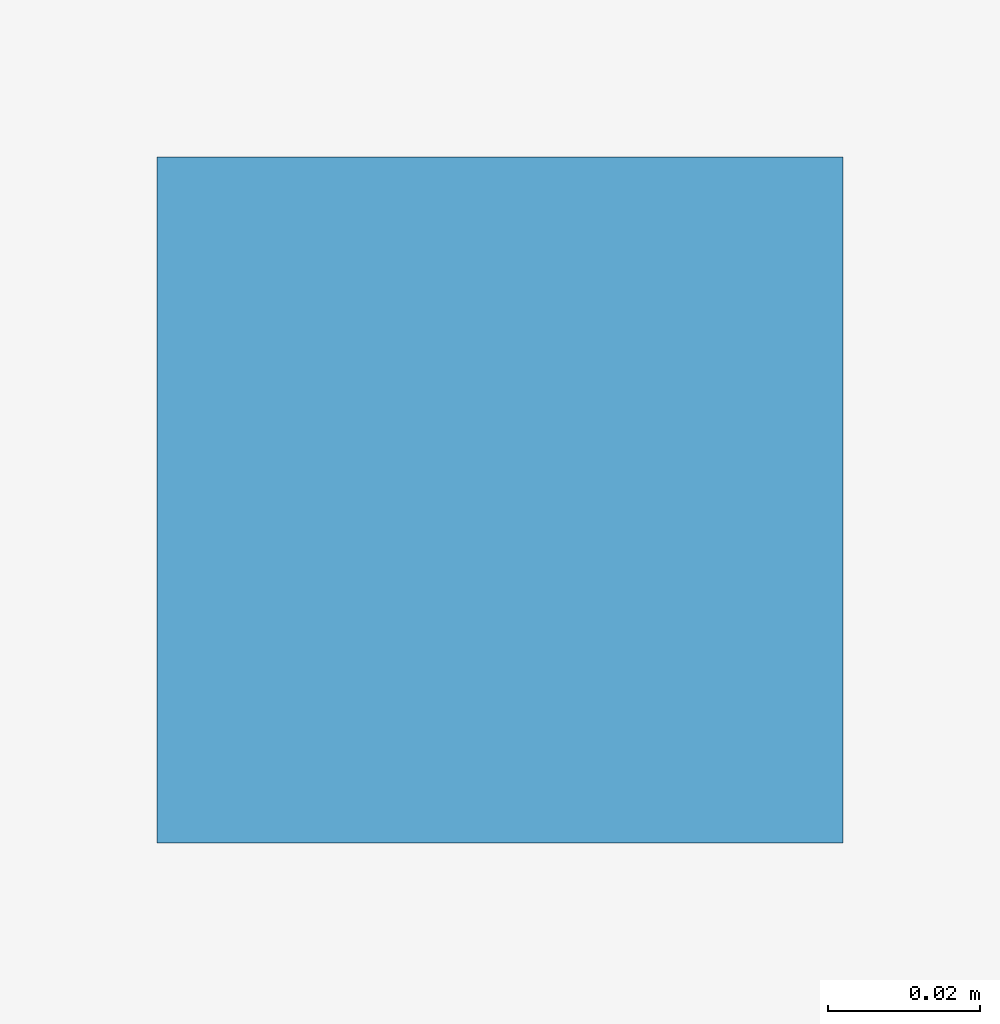
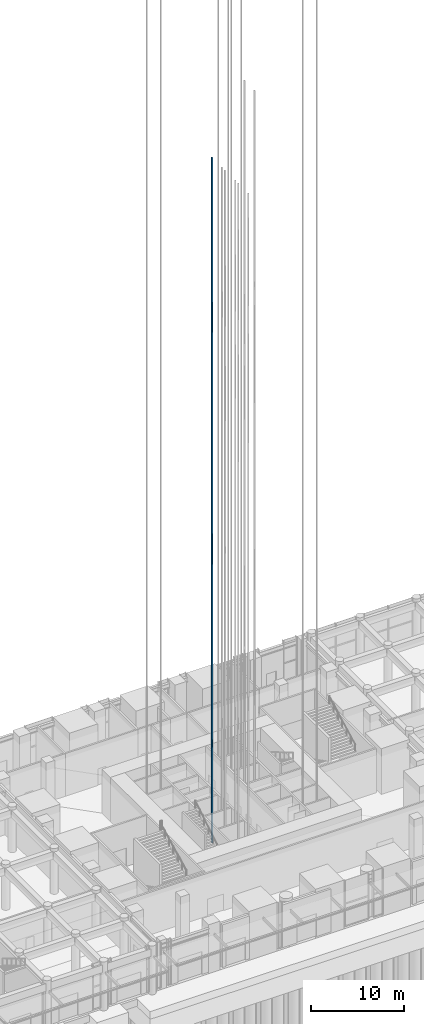
# One storey, part 34 of 46: 1 discrete accessory.
"""IFC4 building model written with IfcOpenShell, lengths in metres."""

from ifc_helpers import new_model, si_unit, direction, frame, origin, origin_2d, place, context, subcontext, project, spatial, rectangle, extrude, element, save


model = new_model("IFC4")

# Units and contexts
model_context = context("Model", 3, precision=1e-05, world=origin(), true_north=direction((0.0, 1.0)))
body_context = subcontext(model_context, "Body", "Model", "MODEL_VIEW")
ifc_project = project(units=[si_unit("LENGTHUNIT", "METRE"), si_unit("AREAUNIT", "SQUARE_METRE"), si_unit("VOLUMEUNIT", "CUBIC_METRE"), si_unit("PLANEANGLEUNIT", "RADIAN"), si_unit("MASSUNIT", "GRAM", prefix="KILO")], contexts=[model_context])

# Site, building, storey
site_placement = place(None, origin())
site = spatial("IfcSite", under=ifc_project, at=site_placement, CompositionType="ELEMENT")
building_placement = place(site_placement, origin())
building = spatial("IfcBuilding", under=site, at=building_placement, Name="Svetlomir Tower", CompositionType="ELEMENT")
storey_placement = place(building_placement, origin())
storey = spatial("IfcBuildingStorey", under=building, at=storey_placement, Name="L00", CompositionType="ELEMENT", Elevation=0.0)

# Discrete accessory
discrete_accessory_placement = place(storey_placement, frame((18.300048828125, 20.574951171875, 0.0), z_axis=(0.0, 0.0, 1.0), x_axis=(1.0, 0.0, 0.0)))
element("IfcDiscreteAccessory", 1, at=discrete_accessory_placement, inside=storey, Name="Lift LA3 guide rail 2", ObjectType="LIFT GUIDE RAIL", PredefinedType="USERDEFINED", context=body_context, shape_type="SweptSolid", body=[
    extrude(rectangle(XDim=0.090087890625, YDim=0.090087890625, at=origin_2d()), origin(), (0.0, 0.0, 1.0), 89.699951171875),
])

save(model, "model.ifc")
